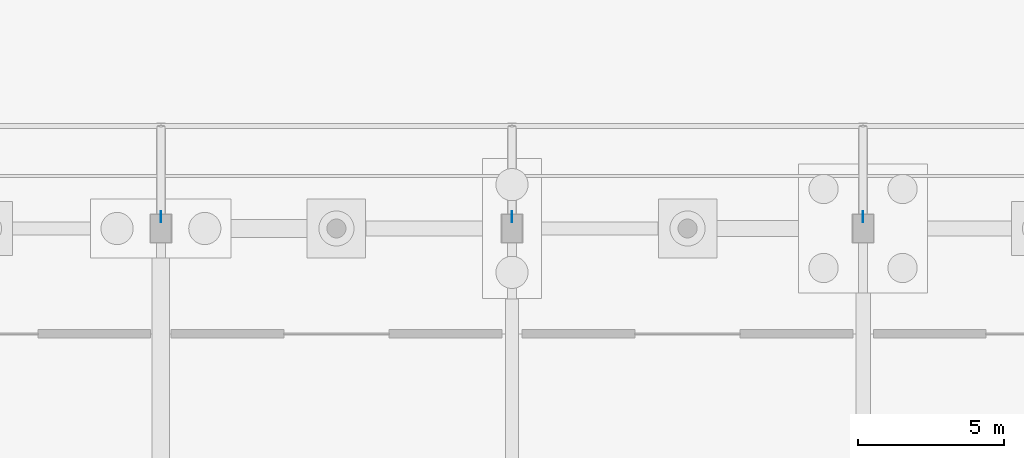
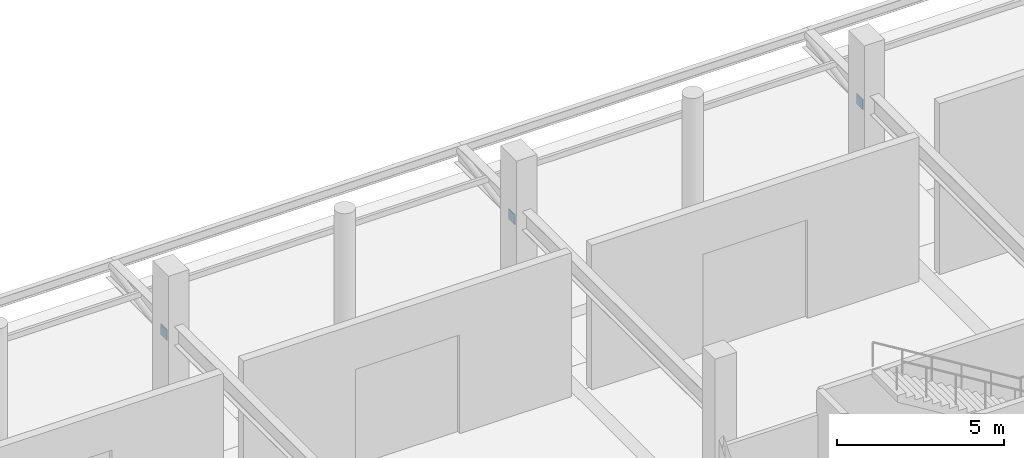
# One storey, part 78 of 117: 3 plates.
"""IFC4 building model written with IfcOpenShell, lengths in metres."""

from ifc_helpers import new_model, si_unit, direction, frame, origin, origin_2d, place, context, subcontext, project, spatial, rectangle, extrude, material, layer, layer_set, type_object, element, save


model = new_model("IFC4")

# Units and contexts
model_context = context("Model", 3, precision=1e-05, world=origin(), true_north=direction((0.0, 1.0)))
body_context = subcontext(model_context, "Body", "Model", "MODEL_VIEW")
ifc_project = project(units=[si_unit("LENGTHUNIT", "METRE"), si_unit("AREAUNIT", "SQUARE_METRE"), si_unit("VOLUMEUNIT", "CUBIC_METRE"), si_unit("PLANEANGLEUNIT", "RADIAN"), si_unit("MASSUNIT", "GRAM", prefix="KILO")], contexts=[model_context])

# Site, building, storey
site_placement = place(None, origin())
site = spatial("IfcSite", under=ifc_project, at=site_placement, CompositionType="ELEMENT")
building_placement = place(site_placement, origin())
building = spatial("IfcBuilding", under=site, at=building_placement, Name="Kamomehara Wholesale Market", CompositionType="ELEMENT")
storey_placement = place(building_placement, origin())
storey = spatial("IfcBuildingStorey", under=building, at=storey_placement, Name="L00", CompositionType="ELEMENT", Elevation=0.0)

# Plates
ifc_material = material(Name="Steel SN490B", Category="steel")
ifc_layer = layer(ifc_material, 0.02490234375)
ifc_layer_set = layer_set([ifc_layer], Name="Steel SN490B")
plate_type = type_object("IfcPlateType", Name="PLT-GUS-25", PredefinedType="USERDEFINED", material=ifc_layer_set)
for number, where, z_axis, x_axis, name in (
    (1, (96.0, 156.39990234375, 3.72998046875), (0.0, 0.0, 1.0), (1.0, 0.0, 0.0), "Canopy gusset plate V1 96"),
    (2, (108.0, 156.39990234375, 3.72998046875), (0.0, 0.0, 1.0), (1.0, 0.0, 0.0), "Canopy gusset plate V1 108"),
    (3, (120.0, 156.39990234375, 3.72998046875), (0.0, 0.0, 1.0), (1.0, 0.0, 0.0), "Canopy gusset plate V1 120"),
):
    element("IfcPlate", number, at=place(storey_placement, frame(where, z_axis=z_axis, x_axis=x_axis)), inside=storey, type_object=plate_type, Name=name, ObjectType="GUSSET PLATE", PredefinedType="USERDEFINED", context=body_context, shape_type="SweptSolid", body=[
        extrude(rectangle(XDim=0.02490234375, YDim=0.3798828125, at=origin_2d()), origin(), (0.0, 0.0, 1.0), 0.3798828125),
    ])

save(model, "model.ifc")
